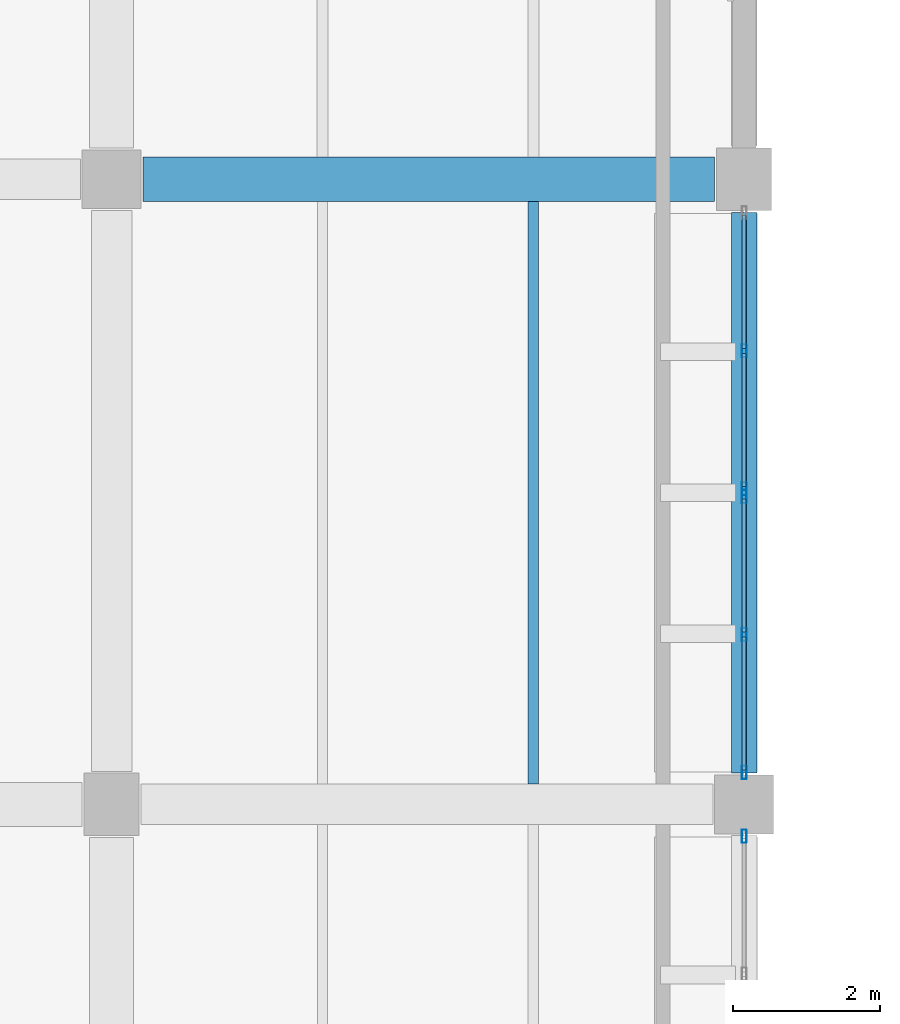
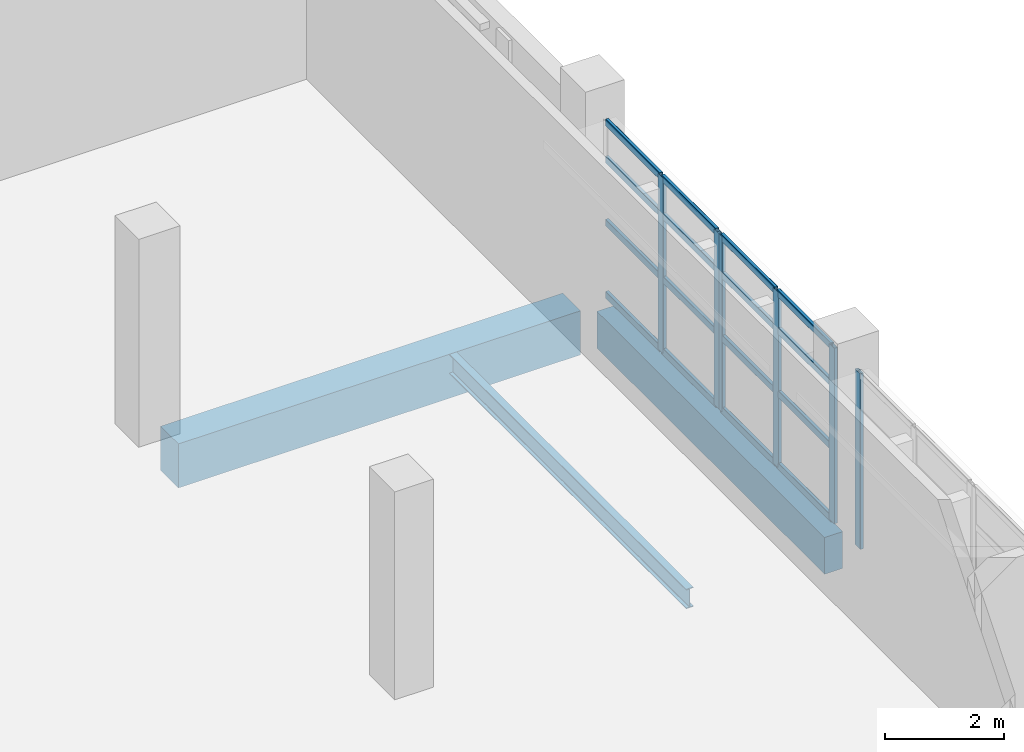
# One storey, part 44 of 76: 22 members, 3 beams, 3 elements without a shape of their own.
"""IFC4 building model written with IfcOpenShell, lengths in metres."""

from ifc_helpers import new_model, si_unit, direction, frame, origin, origin_2d, place, context, subcontext, project, spatial, rectangle, hollow_rectangle, i_section, extrude, material, material_profile, profile_set, type_object, element, aggregate, save


model = new_model("IFC4")

# Units and contexts
model_context = context("Model", 3, precision=1e-05, world=origin(), true_north=direction((0.0, 1.0)))
body_context = subcontext(model_context, "Body", "Model", "MODEL_VIEW")
ifc_project = project(units=[si_unit("LENGTHUNIT", "METRE"), si_unit("AREAUNIT", "SQUARE_METRE"), si_unit("VOLUMEUNIT", "CUBIC_METRE"), si_unit("PLANEANGLEUNIT", "RADIAN"), si_unit("MASSUNIT", "GRAM", prefix="KILO")], contexts=[model_context])

# Site, building, storey
site_placement = place(None, origin())
site = spatial("IfcSite", under=ifc_project, at=site_placement, CompositionType="ELEMENT")
building_placement = place(site_placement, origin())
building = spatial("IfcBuilding", under=site, at=building_placement, Name="Varnakota Cinema and Media Centre", CompositionType="ELEMENT")
storey_placement = place(building_placement, origin())
storey = spatial("IfcBuildingStorey", under=building, at=storey_placement, Name="L00", CompositionType="ELEMENT", Elevation=0.0)

# Beams
ifc_material_1 = material(Name="Concrete M40", Category="concrete")
ifc_material_profile_1 = material_profile(ifc_material_1, rectangle(XDim=0.60009765625, YDim=0.89990234375, at=origin_2d()), Name="RCB 600x900")
ifc_profile_set_1 = profile_set([ifc_material_profile_1], Name="Concrete M40")
beam_type_1 = type_object("IfcBeamType", Name="BM-RC-600x900", PredefinedType="BEAM", material=ifc_profile_set_1)
beam_1_placement = place(storey_placement, frame((34.824951171875, 69.5, -0.72998046875), z_axis=(1.0, 0.0, 0.0), x_axis=(0.0, 1.0, 0.0)))
element("IfcBeam", 1, at=beam_1_placement, inside=storey, type_object=beam_type_1, Name="L00 girder E-F/9", PredefinedType="BEAM", context=body_context, shape_type="SweptSolid", body=[
    extrude(rectangle(XDim=0.60009765625, YDim=0.89990234375, at=origin_2d()), origin(), (0.0, 0.0, 1.0), 7.775146484375),
])
ifc_material_2 = material(Name="Concrete M40", Category="concrete")
ifc_material_profile_2 = material_profile(ifc_material_2, rectangle(XDim=0.35009765625, YDim=0.75, at=origin_2d()), Name="RCB 350x750")
ifc_profile_set_2 = profile_set([ifc_material_profile_2], Name="Concrete M40")
beam_type_2 = type_object("IfcBeamType", Name="BM-SP-350x750", PredefinedType="SPANDREL", material=ifc_profile_set_2)
beam_2_placement = place(storey_placement, frame((43.0, 61.425048828125, -0.655029296875), z_axis=(0.0, 1.0, 0.0), x_axis=(-1.0, 0.0, 0.0)))
element("IfcBeam", 2, at=beam_2_placement, inside=storey, type_object=beam_type_2, Name="L00 girder F/8-9", PredefinedType="SPANDREL", context=body_context, shape_type="SweptSolid", body=[
    extrude(rectangle(XDim=0.35009765625, YDim=0.75, at=origin_2d()), origin(), (0.0, 0.0, 1.0), 7.625),
])
ifc_material_3 = material(Name="Structural steel Grade 350 (E350)", Category="steel")
ifc_material_profile_3 = material_profile(ifc_material_3, i_section(OverallWidth=0.139892578125, OverallDepth=0.39990234375, WebThickness=0.0087890625, FlangeThickness=0.01611328125, FilletRadius=0.013916015625, at=origin_2d()), Name="ISMB 400")
ifc_profile_set_3 = profile_set([ifc_material_profile_3], Name="Structural steel Grade 350 (E350)")
beam_type_3 = type_object("IfcBeamType", Name="BM-ST-ISMB400", PredefinedType="JOIST", material=ifc_profile_set_3)
beam_3_placement = place(storey_placement, frame((40.13330078125, 61.27490234375, -0.47998046875), z_axis=(0.0, 1.0, 0.0), x_axis=(-1.0, 0.0, 0.0)))
element("IfcBeam", 3, at=beam_3_placement, inside=storey, type_object=beam_type_3, Name="L00 steel joist E-F/8-9 #2", PredefinedType="JOIST", context=body_context, shape_type="SweptSolid", body=[
    extrude(i_section(OverallWidth=0.139892578125, OverallDepth=0.39990234375, WebThickness=0.0087890625, FlangeThickness=0.01611328125, FilletRadius=0.013916015625, at=origin_2d()), origin(), (0.0, 0.0, 1.0), 7.925048828125),
])

# Curtain wall, member
ifc_material_4 = material(Name="Thermally broken anodised aluminium AW-6063", Category="aluminium")
curtain_wall_type = type_object("IfcCurtainWallType", Name="CW-STD-382x358", PredefinedType="USERDEFINED", material=ifc_material_4)
curtain_wall_1_placement = place(storey_placement, origin())
curtain_wall_1 = element("IfcCurtainWall", 4, at=curtain_wall_1_placement, inside=storey, type_object=curtain_wall_type, Name="L00 curtain wall CW-L00-V5-E-02-2", ObjectType="UNITISED CURTAIN WALL", PredefinedType="USERDEFINED")
ifc_material_5 = material(Name="Thermally broken anodised aluminium AW-6063", Category="aluminium")
ifc_material_profile_4 = material_profile(ifc_material_5, hollow_rectangle(XDim=0.06494140625, YDim=0.179931640625, WallThickness=0.00390625, InnerFilletRadius=0.00390625, OuterFilletRadius=0.008056640625, at=origin_2d()), Name="AL-MULLION 180x65x4")
ifc_profile_set_4 = profile_set([ifc_material_profile_4], Name="Thermally broken anodised aluminium AW-6063")
member_type_1 = type_object("IfcMemberType", Name="CWM-AL-180", PredefinedType="MULLION", material=ifc_profile_set_4)
member_1_placement = place(storey_placement, frame((43.0, 60.5673828125, 0.0), z_axis=(0.0, 0.0, 1.0), x_axis=(-1.0, 0.0, 0.0)))
member_1 = element("IfcMember", 5, at=member_1_placement, type_object=member_type_1, Name="CW14 mullion 3", PredefinedType="MULLION", context=body_context, shape_type="SweptSolid", body=[
    extrude(hollow_rectangle(XDim=0.06494140625, YDim=0.179931640625, WallThickness=0.00390625, InnerFilletRadius=0.00390625, OuterFilletRadius=0.008056640625, at=origin_2d()), origin(), (0.0, 0.0, 1.0), 3.5849609375),
])
aggregate(curtain_wall_1, [member_1])

# Curtain wall, members
curtain_wall_2_placement = place(storey_placement, origin())
curtain_wall_2 = element("IfcCurtainWall", 6, at=curtain_wall_2_placement, inside=storey, type_object=curtain_wall_type, Name="L00 curtain wall CW-L00-V5-E-03-1", ObjectType="UNITISED CURTAIN WALL", PredefinedType="USERDEFINED")
member_2_placement = place(storey_placement, frame((43.0, 61.4326171875, 0.0), z_axis=(0.0, 0.0, 1.0), x_axis=(-1.0, 0.0, 0.0)))
member_2 = element("IfcMember", 7, at=member_2_placement, type_object=member_type_1, Name="CW14 mullion 1", PredefinedType="MULLION", context=body_context, shape_type="SweptSolid", body=[
    extrude(hollow_rectangle(XDim=0.06494140625, YDim=0.179931640625, WallThickness=0.00390625, InnerFilletRadius=0.00390625, OuterFilletRadius=0.008056640625, at=origin_2d()), origin(), (0.0, 0.0, 1.0), 3.5849609375),
])
member_3_placement = place(storey_placement, frame((43.0, 63.308837890625, 0.0), z_axis=(0.0, 0.0, 1.0), x_axis=(-1.0, 0.0, 0.0)))
member_3 = element("IfcMember", 8, at=member_3_placement, type_object=member_type_1, Name="CW14 mullion 2", PredefinedType="MULLION", context=body_context, shape_type="SweptSolid", body=[
    extrude(hollow_rectangle(XDim=0.06494140625, YDim=0.179931640625, WallThickness=0.00390625, InnerFilletRadius=0.00390625, OuterFilletRadius=0.008056640625, at=origin_2d()), origin(), (0.0, 0.0, 1.0), 3.5849609375),
])
member_4_placement = place(storey_placement, frame((43.0, 65.18505859375, 0.0), z_axis=(0.0, 0.0, 1.0), x_axis=(-1.0, 0.0, 0.0)))
member_4 = element("IfcMember", 9, at=member_4_placement, type_object=member_type_1, Name="CW14 mullion 3", PredefinedType="MULLION", context=body_context, shape_type="SweptSolid", body=[
    extrude(hollow_rectangle(XDim=0.06494140625, YDim=0.179931640625, WallThickness=0.00390625, InnerFilletRadius=0.00390625, OuterFilletRadius=0.008056640625, at=origin_2d()), origin(), (0.0, 0.0, 1.0), 3.5849609375),
])

curtain_wall_3_placement = place(storey_placement, origin())
curtain_wall_3 = element("IfcCurtainWall", 10, at=curtain_wall_3_placement, inside=storey, type_object=curtain_wall_type, Name="L00 curtain wall CW-L00-V5-E-03-2", ObjectType="UNITISED CURTAIN WALL", PredefinedType="USERDEFINED")
member_5_placement = place(storey_placement, frame((43.0, 65.2900390625, 0.0), z_axis=(0.0, 0.0, 1.0), x_axis=(-1.0, 0.0, 0.0)))
member_5 = element("IfcMember", 11, at=member_5_placement, type_object=member_type_1, Name="CW14 mullion 1", PredefinedType="MULLION", context=body_context, shape_type="SweptSolid", body=[
    extrude(hollow_rectangle(XDim=0.06494140625, YDim=0.179931640625, WallThickness=0.00390625, InnerFilletRadius=0.00390625, OuterFilletRadius=0.008056640625, at=origin_2d()), origin(), (0.0, 0.0, 1.0), 3.5849609375),
])
member_6_placement = place(storey_placement, frame((43.0, 67.166259765625, 0.0), z_axis=(0.0, 0.0, 1.0), x_axis=(-1.0, 0.0, 0.0)))
member_6 = element("IfcMember", 12, at=member_6_placement, type_object=member_type_1, Name="CW14 mullion 2", PredefinedType="MULLION", context=body_context, shape_type="SweptSolid", body=[
    extrude(hollow_rectangle(XDim=0.06494140625, YDim=0.179931640625, WallThickness=0.00390625, InnerFilletRadius=0.00390625, OuterFilletRadius=0.008056640625, at=origin_2d()), origin(), (0.0, 0.0, 1.0), 3.5849609375),
])

# Member
ifc_material_6 = material(Name="Thermally broken anodised aluminium AW-6063", Category="aluminium")
ifc_material_profile_5 = material_profile(ifc_material_6, hollow_rectangle(XDim=0.06494140625, YDim=0.139892578125, WallThickness=0.00390625, InnerFilletRadius=0.00390625, OuterFilletRadius=0.008056640625, at=origin_2d()), Name="AL-TRANSOM 140x65x4")
ifc_profile_set_5 = profile_set([ifc_material_profile_5], Name="Thermally broken anodised aluminium AW-6063")
member_type_2 = type_object("IfcMemberType", Name="CWT-AL-140", PredefinedType="USERDEFINED", material=ifc_profile_set_5)
member_7_placement = place(storey_placement, frame((43.0, 61.465087890625, 0.032470703125), z_axis=(0.0, 1.0, 0.0), x_axis=(-1.0, 0.0, 0.0)))
member_7 = element("IfcMember", 13, at=member_7_placement, type_object=member_type_2, Name="CW14 transom 1.1", ObjectType="TRANSOM", PredefinedType="USERDEFINED", context=body_context, shape_type="SweptSolid", body=[
    extrude(hollow_rectangle(XDim=0.06494140625, YDim=0.139892578125, WallThickness=0.00390625, InnerFilletRadius=0.00390625, OuterFilletRadius=0.008056640625, at=origin_2d()), origin(), (0.0, 0.0, 1.0), 1.811279296875),
])

member_8_placement = place(storey_placement, frame((43.0, 61.465087890625, 1.505615234375), z_axis=(0.0, 1.0, 0.0), x_axis=(-1.0, 0.0, 0.0)))
member_8 = element("IfcMember", 14, at=member_8_placement, type_object=member_type_2, Name="CW14 transom 1.2", ObjectType="TRANSOM", PredefinedType="USERDEFINED", context=body_context, shape_type="SweptSolid", body=[
    extrude(hollow_rectangle(XDim=0.06494140625, YDim=0.139892578125, WallThickness=0.00390625, InnerFilletRadius=0.00390625, OuterFilletRadius=0.008056640625, at=origin_2d()), origin(), (0.0, 0.0, 1.0), 1.811279296875),
])

member_9_placement = place(storey_placement, frame((43.0, 61.465087890625, 2.79638671875), z_axis=(0.0, 1.0, 0.0), x_axis=(-1.0, 0.0, 0.0)))
member_9 = element("IfcMember", 15, at=member_9_placement, type_object=member_type_2, Name="CW14 transom 1.3", ObjectType="TRANSOM", PredefinedType="USERDEFINED", context=body_context, shape_type="SweptSolid", body=[
    extrude(hollow_rectangle(XDim=0.06494140625, YDim=0.139892578125, WallThickness=0.00390625, InnerFilletRadius=0.00390625, OuterFilletRadius=0.008056640625, at=origin_2d()), origin(), (0.0, 0.0, 1.0), 1.811279296875),
])

member_10_placement = place(storey_placement, frame((43.0, 61.465087890625, 3.552490234375), z_axis=(0.0, 1.0, 0.0), x_axis=(-1.0, 0.0, 0.0)))
member_10 = element("IfcMember", 16, at=member_10_placement, type_object=member_type_2, Name="CW14 transom 1.4", ObjectType="TRANSOM", PredefinedType="USERDEFINED", context=body_context, shape_type="SweptSolid", body=[
    extrude(hollow_rectangle(XDim=0.06494140625, YDim=0.139892578125, WallThickness=0.00390625, InnerFilletRadius=0.00390625, OuterFilletRadius=0.008056640625, at=origin_2d()), origin(), (0.0, 0.0, 1.0), 1.811279296875),
])

member_11_placement = place(storey_placement, frame((43.0, 63.34130859375, 0.032470703125), z_axis=(0.0, 1.0, 0.0), x_axis=(-1.0, 0.0, 0.0)))
member_11 = element("IfcMember", 17, at=member_11_placement, type_object=member_type_2, Name="CW14 transom 2.1", ObjectType="TRANSOM", PredefinedType="USERDEFINED", context=body_context, shape_type="SweptSolid", body=[
    extrude(hollow_rectangle(XDim=0.06494140625, YDim=0.139892578125, WallThickness=0.00390625, InnerFilletRadius=0.00390625, OuterFilletRadius=0.008056640625, at=origin_2d()), origin(), (0.0, 0.0, 1.0), 1.811279296875),
])

member_12_placement = place(storey_placement, frame((43.0, 63.34130859375, 1.505615234375), z_axis=(0.0, 1.0, 0.0), x_axis=(-1.0, 0.0, 0.0)))
member_12 = element("IfcMember", 18, at=member_12_placement, type_object=member_type_2, Name="CW14 transom 2.2", ObjectType="TRANSOM", PredefinedType="USERDEFINED", context=body_context, shape_type="SweptSolid", body=[
    extrude(hollow_rectangle(XDim=0.06494140625, YDim=0.139892578125, WallThickness=0.00390625, InnerFilletRadius=0.00390625, OuterFilletRadius=0.008056640625, at=origin_2d()), origin(), (0.0, 0.0, 1.0), 1.811279296875),
])

member_13_placement = place(storey_placement, frame((43.0, 63.34130859375, 2.79638671875), z_axis=(0.0, 1.0, 0.0), x_axis=(-1.0, 0.0, 0.0)))
member_13 = element("IfcMember", 19, at=member_13_placement, type_object=member_type_2, Name="CW14 transom 2.3", ObjectType="TRANSOM", PredefinedType="USERDEFINED", context=body_context, shape_type="SweptSolid", body=[
    extrude(hollow_rectangle(XDim=0.06494140625, YDim=0.139892578125, WallThickness=0.00390625, InnerFilletRadius=0.00390625, OuterFilletRadius=0.008056640625, at=origin_2d()), origin(), (0.0, 0.0, 1.0), 1.811279296875),
])

member_14_placement = place(storey_placement, frame((43.0, 63.34130859375, 3.552490234375), z_axis=(0.0, 1.0, 0.0), x_axis=(-1.0, 0.0, 0.0)))
member_14 = element("IfcMember", 20, at=member_14_placement, type_object=member_type_2, Name="CW14 transom 2.4", ObjectType="TRANSOM", PredefinedType="USERDEFINED", context=body_context, shape_type="SweptSolid", body=[
    extrude(hollow_rectangle(XDim=0.06494140625, YDim=0.139892578125, WallThickness=0.00390625, InnerFilletRadius=0.00390625, OuterFilletRadius=0.008056640625, at=origin_2d()), origin(), (0.0, 0.0, 1.0), 1.811279296875),
])

aggregate(curtain_wall_2, [member_2, member_3, member_4, member_7, member_8, member_9, member_10, member_11, member_12, member_13, member_14])

member_15_placement = place(storey_placement, frame((43.0, 65.322509765625, 0.032470703125), z_axis=(0.0, 1.0, 0.0), x_axis=(-1.0, 0.0, 0.0)))
member_15 = element("IfcMember", 21, at=member_15_placement, type_object=member_type_2, Name="CW14 transom 1.1", ObjectType="TRANSOM", PredefinedType="USERDEFINED", context=body_context, shape_type="SweptSolid", body=[
    extrude(hollow_rectangle(XDim=0.06494140625, YDim=0.139892578125, WallThickness=0.00390625, InnerFilletRadius=0.00390625, OuterFilletRadius=0.008056640625, at=origin_2d()), origin(), (0.0, 0.0, 1.0), 1.811279296875),
])

member_16_placement = place(storey_placement, frame((43.0, 65.322509765625, 1.505615234375), z_axis=(0.0, 1.0, 0.0), x_axis=(-1.0, 0.0, 0.0)))
member_16 = element("IfcMember", 22, at=member_16_placement, type_object=member_type_2, Name="CW14 transom 1.2", ObjectType="TRANSOM", PredefinedType="USERDEFINED", context=body_context, shape_type="SweptSolid", body=[
    extrude(hollow_rectangle(XDim=0.06494140625, YDim=0.139892578125, WallThickness=0.00390625, InnerFilletRadius=0.00390625, OuterFilletRadius=0.008056640625, at=origin_2d()), origin(), (0.0, 0.0, 1.0), 1.811279296875),
])

member_17_placement = place(storey_placement, frame((43.0, 65.322509765625, 2.79638671875), z_axis=(0.0, 1.0, 0.0), x_axis=(-1.0, 0.0, 0.0)))
member_17 = element("IfcMember", 23, at=member_17_placement, type_object=member_type_2, Name="CW14 transom 1.3", ObjectType="TRANSOM", PredefinedType="USERDEFINED", context=body_context, shape_type="SweptSolid", body=[
    extrude(hollow_rectangle(XDim=0.06494140625, YDim=0.139892578125, WallThickness=0.00390625, InnerFilletRadius=0.00390625, OuterFilletRadius=0.008056640625, at=origin_2d()), origin(), (0.0, 0.0, 1.0), 1.811279296875),
])

member_18_placement = place(storey_placement, frame((43.0, 65.322509765625, 3.552490234375), z_axis=(0.0, 1.0, 0.0), x_axis=(-1.0, 0.0, 0.0)))
member_18 = element("IfcMember", 24, at=member_18_placement, type_object=member_type_2, Name="CW14 transom 1.4", ObjectType="TRANSOM", PredefinedType="USERDEFINED", context=body_context, shape_type="SweptSolid", body=[
    extrude(hollow_rectangle(XDim=0.06494140625, YDim=0.139892578125, WallThickness=0.00390625, InnerFilletRadius=0.00390625, OuterFilletRadius=0.008056640625, at=origin_2d()), origin(), (0.0, 0.0, 1.0), 1.811279296875),
])

member_19_placement = place(storey_placement, frame((43.0, 67.19873046875, 0.032470703125), z_axis=(0.0, 1.0, 0.0), x_axis=(-1.0, 0.0, 0.0)))
member_19 = element("IfcMember", 25, at=member_19_placement, type_object=member_type_2, Name="CW14 transom 2.1", ObjectType="TRANSOM", PredefinedType="USERDEFINED", context=body_context, shape_type="SweptSolid", body=[
    extrude(hollow_rectangle(XDim=0.06494140625, YDim=0.139892578125, WallThickness=0.00390625, InnerFilletRadius=0.00390625, OuterFilletRadius=0.008056640625, at=origin_2d()), origin(), (0.0, 0.0, 1.0), 1.811279296875),
])

member_20_placement = place(storey_placement, frame((43.0, 67.19873046875, 1.505615234375), z_axis=(0.0, 1.0, 0.0), x_axis=(-1.0, 0.0, 0.0)))
member_20 = element("IfcMember", 26, at=member_20_placement, type_object=member_type_2, Name="CW14 transom 2.2", ObjectType="TRANSOM", PredefinedType="USERDEFINED", context=body_context, shape_type="SweptSolid", body=[
    extrude(hollow_rectangle(XDim=0.06494140625, YDim=0.139892578125, WallThickness=0.00390625, InnerFilletRadius=0.00390625, OuterFilletRadius=0.008056640625, at=origin_2d()), origin(), (0.0, 0.0, 1.0), 1.811279296875),
])

member_21_placement = place(storey_placement, frame((43.0, 67.19873046875, 2.79638671875), z_axis=(0.0, 1.0, 0.0), x_axis=(-1.0, 0.0, 0.0)))
member_21 = element("IfcMember", 27, at=member_21_placement, type_object=member_type_2, Name="CW14 transom 2.3", ObjectType="TRANSOM", PredefinedType="USERDEFINED", context=body_context, shape_type="SweptSolid", body=[
    extrude(hollow_rectangle(XDim=0.06494140625, YDim=0.139892578125, WallThickness=0.00390625, InnerFilletRadius=0.00390625, OuterFilletRadius=0.008056640625, at=origin_2d()), origin(), (0.0, 0.0, 1.0), 1.811279296875),
])

member_22_placement = place(storey_placement, frame((43.0, 67.19873046875, 3.552490234375), z_axis=(0.0, 1.0, 0.0), x_axis=(-1.0, 0.0, 0.0)))
member_22 = element("IfcMember", 28, at=member_22_placement, type_object=member_type_2, Name="CW14 transom 2.4", ObjectType="TRANSOM", PredefinedType="USERDEFINED", context=body_context, shape_type="SweptSolid", body=[
    extrude(hollow_rectangle(XDim=0.06494140625, YDim=0.139892578125, WallThickness=0.00390625, InnerFilletRadius=0.00390625, OuterFilletRadius=0.008056640625, at=origin_2d()), origin(), (0.0, 0.0, 1.0), 1.811279296875),
])

aggregate(curtain_wall_3, [member_5, member_6, member_15, member_16, member_17, member_18, member_19, member_20, member_21, member_22])

save(model, "model.ifc")
